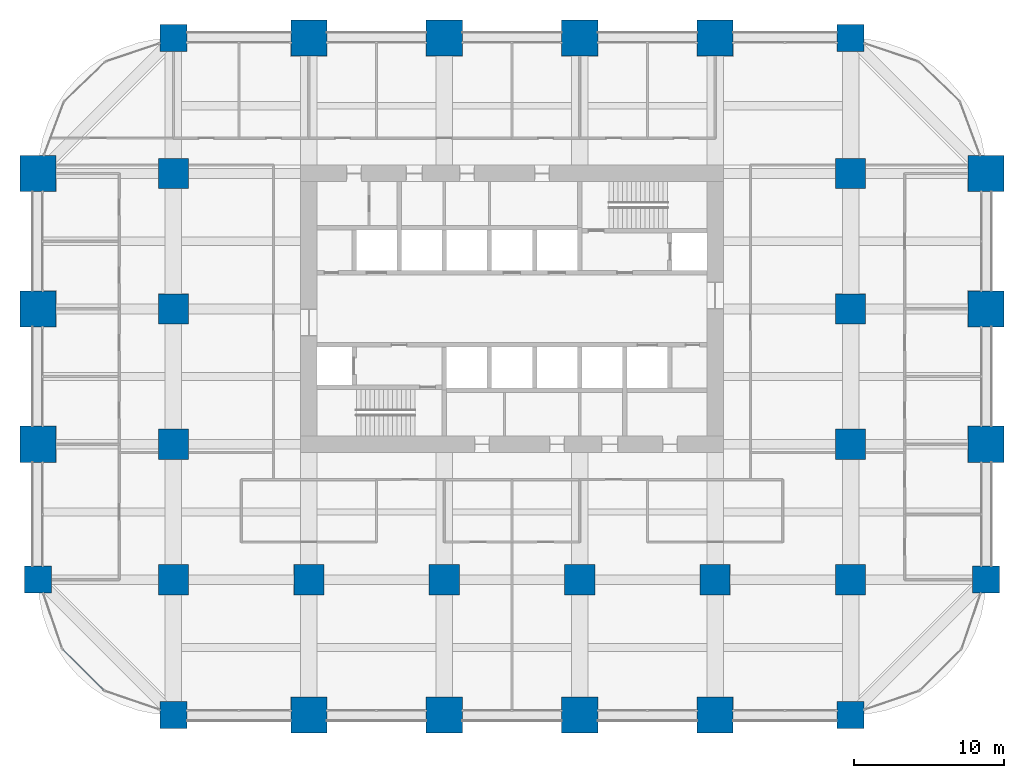
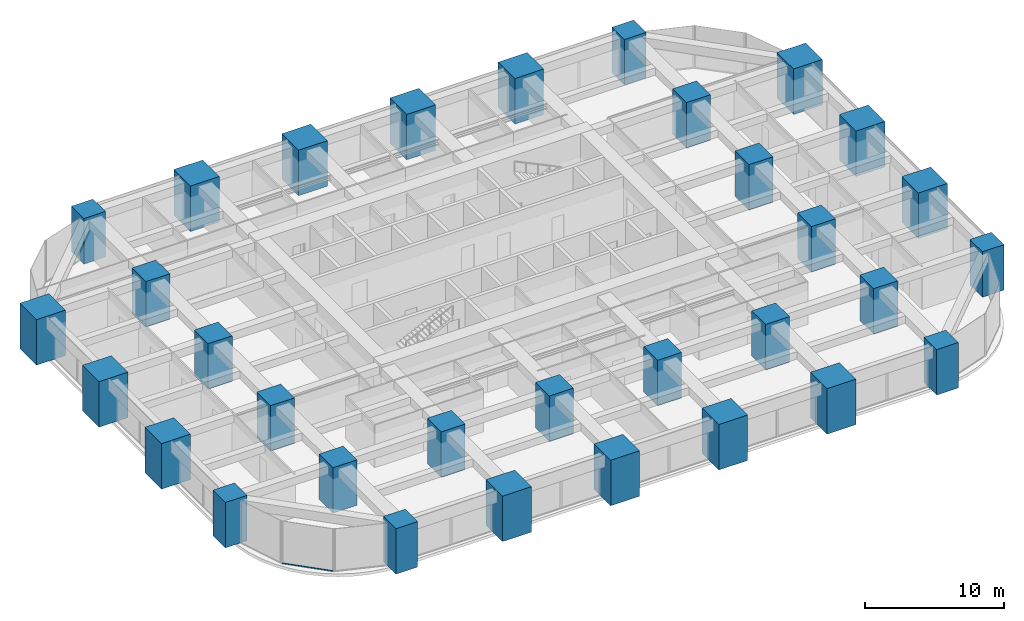
# One storey, part 1 of 41: 32 columns, 1 member, 1 element without a shape of its own.
"""IFC4 building model written with IfcOpenShell, lengths in metres."""

from ifc_helpers import new_model, si_unit, direction, frame, origin, origin_2d, place, context, subcontext, project, spatial, rectangle, hollow_rectangle, extrude, material, material_profile, profile_set, type_object, element, aggregate, save


model = new_model("IFC4")

# Units and contexts
model_context = context("Model", 3, precision=1e-05, world=origin(), true_north=direction((0.0, 1.0)))
body_context = subcontext(model_context, "Body", "Model", "MODEL_VIEW")
ifc_project = project(units=[si_unit("LENGTHUNIT", "METRE"), si_unit("AREAUNIT", "SQUARE_METRE"), si_unit("VOLUMEUNIT", "CUBIC_METRE"), si_unit("PLANEANGLEUNIT", "RADIAN"), si_unit("MASSUNIT", "GRAM", prefix="KILO")], contexts=[model_context])

# Site, building, storey
site_placement = place(None, origin())
site = spatial("IfcSite", under=ifc_project, at=site_placement, CompositionType="ELEMENT")
building_placement = place(site_placement, origin())
building = spatial("IfcBuilding", under=site, at=building_placement, Name="Zorevar Civic Tower", CompositionType="ELEMENT")
storey_placement = place(building_placement, frame((0.0, 0.0, 113.0)))
storey = spatial("IfcBuildingStorey", under=building, at=storey_placement, Name="L27", CompositionType="ELEMENT", Elevation=113.0)

# Columns
ifc_material_1 = material(Name="Concrete C50/60", Category="concrete")
ifc_material_profile_1 = material_profile(ifc_material_1, rectangle(XDim=1.800048828125, YDim=1.800048828125, at=origin_2d()), Name="RC 1800x1800")
ifc_profile_set_1 = profile_set([ifc_material_profile_1], Name="Concrete C50/60")
column_type_1 = type_object("IfcColumnType", Name="Column RC 1800x1800", PredefinedType="COLUMN", material=ifc_profile_set_1)
for number, where, z_axis, x_axis, name in (
    (1, (0.0, 9.0, 0.0), (0.0, 0.0, 1.0), (1.0, 0.0, 0.0), "Column 2B L27"),
    (2, (9.0, 0.0, 0.0), (0.0, 0.0, 1.0), (1.0, 0.0, 0.0), "Column 3A L27"),
    (3, (9.0, 45.0, 0.0), (0.0, 0.0, 1.0), (1.0, 0.0, 0.0), "Column 3F L27"),
    (4, (54.0, 0.0, 0.0), (0.0, 0.0, 1.0), (1.0, 0.0, 0.0), "Column 8A L27"),
    (5, (54.0, 45.0, 0.0), (0.0, 0.0, 1.0), (1.0, 0.0, 0.0), "Column 8F L27"),
    (6, (63.0, 9.0, 0.0), (0.0, 0.0, 1.0), (1.0, 0.0, 0.0), "Column 9B L27"),
):
    element("IfcColumn", number, at=place(storey_placement, frame(where, z_axis=z_axis, x_axis=x_axis)), inside=storey, type_object=column_type_1, Name=name, PredefinedType="COLUMN", context=body_context, shape_type="SweptSolid", body=[
        extrude(rectangle(XDim=1.800048828125, YDim=1.800048828125, at=origin_2d()), origin(), (0.0, 0.0, 1.0), 4.0),
    ])
ifc_material_2 = material(Name="Concrete C50/60", Category="concrete")
ifc_material_profile_2 = material_profile(ifc_material_2, rectangle(XDim=2.0, YDim=2.0, at=origin_2d()), Name="RC 2000x2000")
ifc_profile_set_2 = profile_set([ifc_material_profile_2], Name="Concrete C50/60")
column_type_2 = type_object("IfcColumnType", Name="Column RC 2000x2000", PredefinedType="COLUMN", material=ifc_profile_set_2)
for number, where, z_axis, x_axis, name in (
    (7, (9.0, 9.0, 0.0), (0.0, 0.0, 1.0), (1.0, 0.0, 0.0), "Column 3B L27"),
    (8, (9.0, 18.0, 0.0), (0.0, 0.0, 1.0), (1.0, 0.0, 0.0), "Column 3C L27"),
    (9, (9.0, 27.0, 0.0), (0.0, 0.0, 1.0), (1.0, 0.0, 0.0), "Column 3D L27"),
    (10, (9.0, 36.0, 0.0), (0.0, 0.0, 1.0), (1.0, 0.0, 0.0), "Column 3E L27"),
    (11, (18.0, 9.0, 0.0), (0.0, 0.0, 1.0), (1.0, 0.0, 0.0), "Column 4B L27"),
    (12, (27.0, 9.0, 0.0), (0.0, 0.0, 1.0), (1.0, 0.0, 0.0), "Column 5B L27"),
    (13, (36.0, 9.0, 0.0), (0.0, 0.0, 1.0), (1.0, 0.0, 0.0), "Column 6B L27"),
    (14, (45.0, 9.0, 0.0), (0.0, 0.0, 1.0), (1.0, 0.0, 0.0), "Column 7B L27"),
    (15, (54.0, 9.0, 0.0), (0.0, 0.0, 1.0), (1.0, 0.0, 0.0), "Column 8B L27"),
    (16, (54.0, 18.0, 0.0), (0.0, 0.0, 1.0), (1.0, 0.0, 0.0), "Column 8C L27"),
    (17, (54.0, 27.0, 0.0), (0.0, 0.0, 1.0), (1.0, 0.0, 0.0), "Column 8D L27"),
    (18, (54.0, 36.0, 0.0), (0.0, 0.0, 1.0), (1.0, 0.0, 0.0), "Column 8E L27"),
):
    element("IfcColumn", number, at=place(storey_placement, frame(where, z_axis=z_axis, x_axis=x_axis)), inside=storey, type_object=column_type_2, Name=name, PredefinedType="COLUMN", context=body_context, shape_type="SweptSolid", body=[
        extrude(rectangle(XDim=2.0, YDim=2.0, at=origin_2d()), origin(), (0.0, 0.0, 1.0), 4.0),
    ])
ifc_material_3 = material(Name="Concrete C50/60", Category="concrete")
ifc_material_profile_3 = material_profile(ifc_material_3, rectangle(XDim=2.39990234375, YDim=2.39990234375, at=origin_2d()), Name="RC 2400x2400")
ifc_profile_set_3 = profile_set([ifc_material_profile_3], Name="Concrete C50/60")
column_type_3 = type_object("IfcColumnType", Name="Mega column RC 2400x2400", PredefinedType="COLUMN", material=ifc_profile_set_3)
for number, where, z_axis, x_axis, name in (
    (19, (0.0, 18.0, 0.0), (0.0, 0.0, 1.0), (1.0, 0.0, 0.0), "Column 2C L27"),
    (20, (0.0, 27.0, 0.0), (0.0, 0.0, 1.0), (1.0, 0.0, 0.0), "Column 2D L27"),
    (21, (0.0, 36.0, 0.0), (0.0, 0.0, 1.0), (1.0, 0.0, 0.0), "Column 2E L27"),
    (22, (18.0, 0.0, 0.0), (0.0, 0.0, 1.0), (1.0, 0.0, 0.0), "Column 4A L27"),
    (23, (18.0, 45.0, 0.0), (0.0, 0.0, 1.0), (1.0, 0.0, 0.0), "Column 4F L27"),
    (24, (27.0, 0.0, 0.0), (0.0, 0.0, 1.0), (1.0, 0.0, 0.0), "Column 5A L27"),
    (25, (27.0, 45.0, 0.0), (0.0, 0.0, 1.0), (1.0, 0.0, 0.0), "Column 5F L27"),
    (26, (36.0, 0.0, 0.0), (0.0, 0.0, 1.0), (1.0, 0.0, 0.0), "Column 6A L27"),
    (27, (36.0, 45.0, 0.0), (0.0, 0.0, 1.0), (1.0, 0.0, 0.0), "Column 6F L27"),
    (28, (45.0, 0.0, 0.0), (0.0, 0.0, 1.0), (1.0, 0.0, 0.0), "Column 7A L27"),
    (29, (45.0, 45.0, 0.0), (0.0, 0.0, 1.0), (1.0, 0.0, 0.0), "Column 7F L27"),
    (30, (63.0, 18.0, 0.0), (0.0, 0.0, 1.0), (1.0, 0.0, 0.0), "Column 9C L27"),
    (31, (63.0, 27.0, 0.0), (0.0, 0.0, 1.0), (1.0, 0.0, 0.0), "Column 9D L27"),
    (32, (63.0, 36.0, 0.0), (0.0, 0.0, 1.0), (1.0, 0.0, 0.0), "Column 9E L27"),
):
    element("IfcColumn", number, at=place(storey_placement, frame(where, z_axis=z_axis, x_axis=x_axis)), inside=storey, type_object=column_type_3, Name=name, PredefinedType="COLUMN", context=body_context, shape_type="SweptSolid", body=[
        extrude(rectangle(XDim=2.39990234375, YDim=2.39990234375, at=origin_2d()), origin(), (0.0, 0.0, 1.0), 4.0),
    ])

# Curtain wall, member
ifc_material_4 = material(Name="Dark grey solar-control glass in black aluminium frame", Category="aluminium")
curtain_wall_type = type_object("IfcCurtainWallType", Name="Curtain wall CW3 mid zone", PredefinedType="NOTDEFINED", material=ifc_material_4)
curtain_wall_placement = place(storey_placement, origin())
curtain_wall = element("IfcCurtainWall", 33, at=curtain_wall_placement, inside=storey, type_object=curtain_wall_type, Name="CW3 L27", PredefinedType="NOTDEFINED")
ifc_material_5 = material(Name="Aluminium, black anodised", Category="aluminium")
ifc_material_profile_4 = material_profile(ifc_material_5, hollow_rectangle(XDim=0.06005859375, YDim=0.1201171875, WallThickness=0.0029296875, at=origin_2d()), Name="AL 120x60x3")
ifc_profile_set_4 = profile_set([ifc_material_profile_4], Name="Aluminium, black anodised")
member_type = type_object("IfcMemberType", Name="CW3 transom AL 120x60x3", PredefinedType="USERDEFINED", material=ifc_profile_set_4)
member_placement = place(storey_placement, frame((1.662841796875, 4.349853515625, 0.030029296875), z_axis=(0.707106781187, -0.707106781187, 0.0), x_axis=(0.707106781187, 0.707106781187, 0.0)))
member = element("IfcMember", 34, at=member_placement, type_object=member_type, Name="CW3 sill transom", ObjectType="TRANSOM", PredefinedType="USERDEFINED", context=body_context, shape_type="SweptSolid", body=[
    extrude(hollow_rectangle(XDim=0.06005859375, YDim=0.1201171875, WallThickness=0.0029296875, at=origin_2d()), origin(), (0.0, 0.0, 1.0), 3.800048828125),
])
aggregate(curtain_wall, [member])

save(model, "model.ifc")
